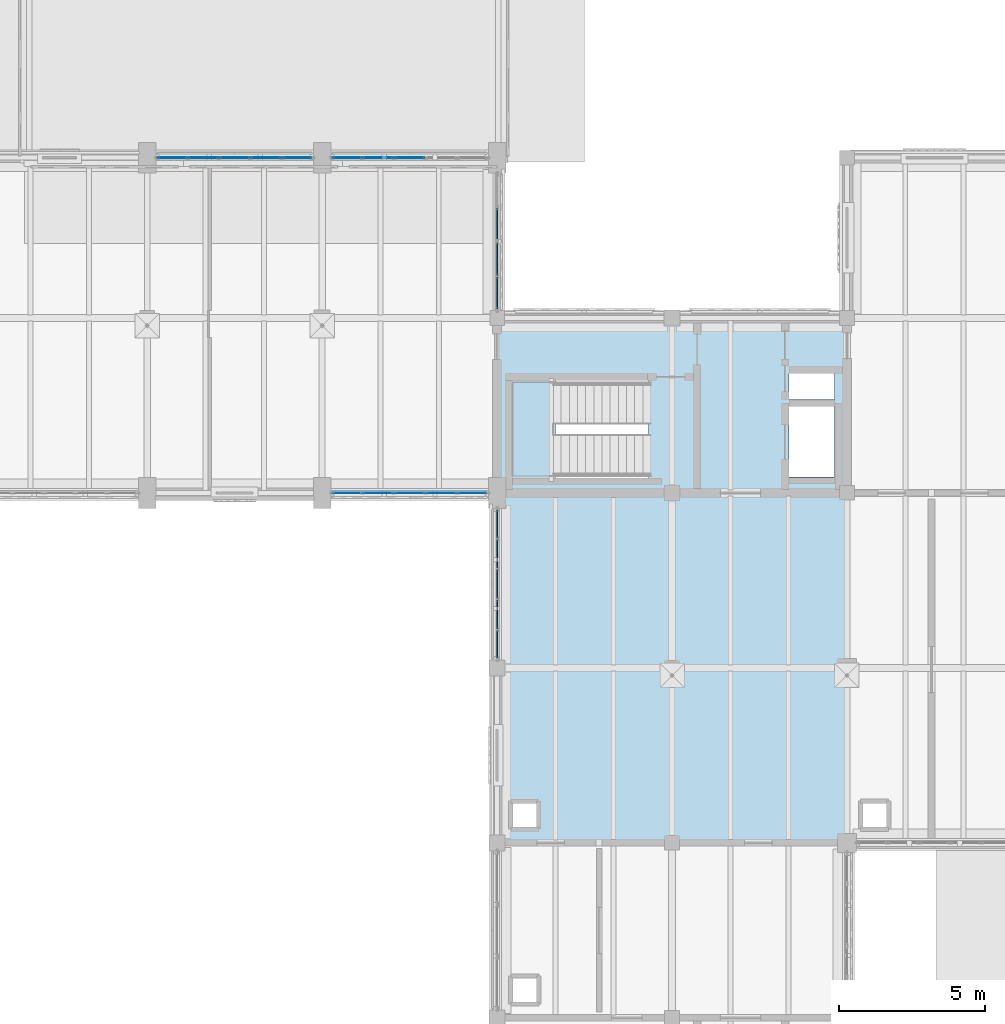
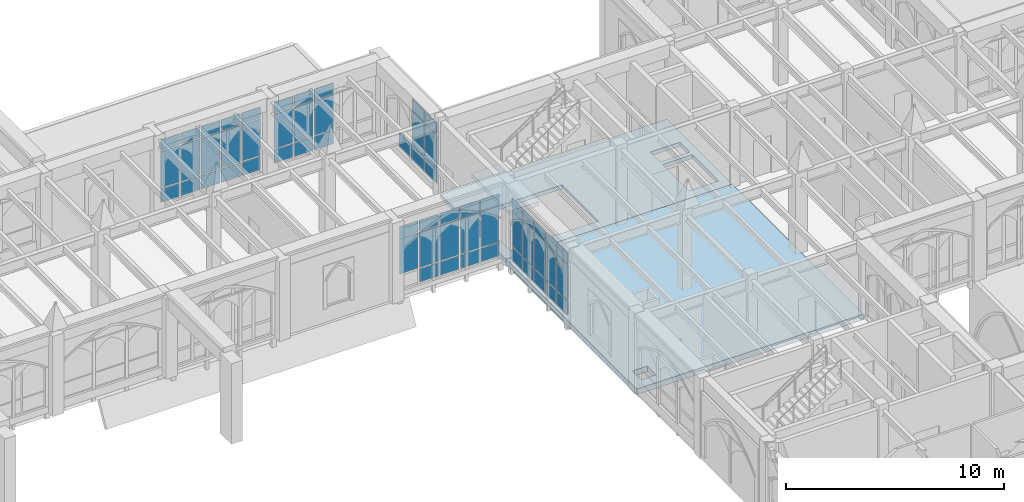
# One storey, part 96 of 143: 60 plates, 3 slabs, 6 elements without a shape of their own.
"""IFC4 building model written with IfcOpenShell, lengths in metres."""

from ifc_helpers import new_model, si_unit, direction, frame, origin, origin_2d, place, context, subcontext, project, spatial, polyline, rectangle, outline, extrude, material, layer, layer_set, type_object, element, aggregate, save


model = new_model("IFC4")

# Units and contexts
model_context = context("Model", 3, precision=1e-05, world=origin(), true_north=direction((0.0, 1.0)))
body_context = subcontext(model_context, "Body", "Model", "MODEL_VIEW")
ifc_project = project(units=[si_unit("LENGTHUNIT", "METRE"), si_unit("AREAUNIT", "SQUARE_METRE"), si_unit("VOLUMEUNIT", "CUBIC_METRE"), si_unit("PLANEANGLEUNIT", "RADIAN"), si_unit("MASSUNIT", "GRAM", prefix="KILO")], contexts=[model_context])

# Site, building, storey
site_placement = place(None, origin())
site = spatial("IfcSite", under=ifc_project, at=site_placement, CompositionType="ELEMENT")
building_placement = place(site_placement, origin())
building = spatial("IfcBuilding", under=site, at=building_placement, Name="Cumevento Cable Car Station", CompositionType="ELEMENT")
storey_placement = place(building_placement, frame((0.0, 0.0, 9.0)))
storey = spatial("IfcBuildingStorey", under=building, at=storey_placement, Name="L03", CompositionType="ELEMENT", Elevation=9.0)

# Slabs
ifc_material_1 = material(Name="Concrete C40/50", Category="concrete")
ifc_layer_1 = layer(ifc_material_1, 0.22412109375)
ifc_layer_set_1 = layer_set([ifc_layer_1], Name="Concrete C40/50")
slab_type_1 = type_object("IfcSlabType", Name="Concrete Deck FS-224 224", PredefinedType="FLOOR", material=ifc_layer_set_1)
slab_1_placement = place(storey_placement, frame((0.0, 0.0, -0.22412109375)))
element("IfcSlab", 1, at=slab_1_placement, inside=storey, type_object=slab_type_1, Name="Floor Slab FS-224 L03 B_V5c_core.1", PredefinedType="FLOOR", context=body_context, shape_type="SweptSolid", body=[
    extrude(outline(polyline([(118.0, 45.0), (130.0, 45.0), (130.0, 51.0), (118.0, 51.0), (118.0, 45.0)]), holes=[polyline([(128.010009765625, 45.5400390625), (129.580078125, 45.5400390625), (129.580078125, 47.9599609375), (128.010009765625, 47.9599609375), (128.010009765625, 45.5400390625)]), polyline([(118.52001953125, 45.52001953125), (123.199951171875, 45.52001953125), (123.199951171875, 48.85009765625), (118.52001953125, 48.85009765625), (118.52001953125, 45.52001953125)]), polyline([(128.010009765625, 48.199951171875), (129.580078125, 48.199951171875), (129.580078125, 49.10009765625), (128.010009765625, 49.10009765625), (128.010009765625, 48.199951171875)])]), origin(), (0.0, 0.0, 1.0), 0.22412109375),
])
ifc_material_2 = material(Name="Concrete C40/50", Category="concrete")
ifc_layer_2 = layer(ifc_material_2, 0.31494140625)
ifc_layer_set_2 = layer_set([ifc_layer_2], Name="Concrete C40/50")
slab_type_2 = type_object("IfcSlabType", Name="Concrete Deck FS-315 315", PredefinedType="FLOOR", material=ifc_layer_set_2)
slab_2_placement = place(storey_placement, frame((0.0, 0.0, -0.31494140625)))
element("IfcSlab", 2, at=slab_2_placement, inside=storey, type_object=slab_type_2, Name="Floor Slab FS-315 L03 B_V5a.1", PredefinedType="FLOOR", context=body_context, shape_type="SweptSolid", body=[
    extrude(outline(polyline([(118.0, 33.0), (130.0, 33.0), (130.0, 45.0), (118.0, 45.0), (118.0, 33.0)]), holes=[polyline([(118.550048828125, 33.550048828125), (119.35009765625, 33.550048828125), (119.35009765625, 34.35009765625), (118.550048828125, 34.35009765625), (118.550048828125, 33.550048828125)])]), origin(), (0.0, 0.0, 1.0), 0.31494140625),
])

# Curtain wall, plates
ifc_material_3 = material(Name="Anodised Bronze Aluminium AW-6063-T6", Category="aluminium")
ifc_layer_3 = layer(ifc_material_3, 0.166015625)
ifc_layer_set_3 = layer_set([ifc_layer_3], Name="Anodised Bronze Aluminium AW-6063-T6")
curtain_wall_type_1 = type_object("IfcCurtainWallType", Name="Lancet Curtain Wall CW-02 1090", PredefinedType="NOTDEFINED", material=ifc_layer_set_3)
curtain_wall_1_placement = place(storey_placement, origin())
curtain_wall_1 = element("IfcCurtainWall", 3, at=curtain_wall_1_placement, inside=storey, type_object=curtain_wall_type_1, Name="Lancet Curtain Wall CW-02 L03 #113", PredefinedType="NOTDEFINED")
ifc_material_4 = material(Name="Solar Control Laminated Double Glazing", Category="glass")
ifc_layer_4 = layer(ifc_material_4, 0.02587890625)
ifc_layer_set_4 = layer_set([ifc_layer_4], Name="Solar Control Laminated Double Glazing")
plate_type_1 = type_object("IfcPlateType", Name="Glazed Panel CWP-02 26", PredefinedType="CURTAIN_PANEL", material=ifc_layer_set_4)
plate_1_placement = place(storey_placement, frame((106.856201171875, 56.5, 0.275146484375), z_axis=(0.0, 0.0, 1.0), x_axis=(1.0, 0.0, 0.0)))
plate_1 = element("IfcPlate", 4, at=plate_1_placement, type_object=plate_type_1, Name="CW-02 panel 1.1", PredefinedType="CURTAIN_PANEL", context=body_context, shape_type="SweptSolid", body=[
    extrude(rectangle(XDim=0.982421875, YDim=0.02587890625, at=origin_2d()), origin(), (0.0, 0.0, 1.0), 0.75244140625),
])
plate_2_placement = place(storey_placement, frame((106.856201171875, 56.5, 1.092529296875), z_axis=(0.0, 0.0, 1.0), x_axis=(1.0, 0.0, 0.0)))
plate_2 = element("IfcPlate", 5, at=plate_2_placement, type_object=plate_type_1, Name="CW-02 panel 1.2", PredefinedType="CURTAIN_PANEL", context=body_context, shape_type="SweptSolid", body=[
    extrude(rectangle(XDim=0.982421875, YDim=0.02587890625, at=origin_2d()), origin(), (0.0, 0.0, 1.0), 2.02001953125),
])
plate_3_placement = place(storey_placement, frame((106.856201171875, 56.5, 3.177490234375), z_axis=(0.0, 0.0, 1.0), x_axis=(1.0, 0.0, 0.0)))
plate_3 = element("IfcPlate", 6, at=plate_3_placement, type_object=plate_type_1, Name="CW-02 panel 1.3", PredefinedType="CURTAIN_PANEL", context=body_context, shape_type="SweptSolid", body=[
    extrude(rectangle(XDim=0.982421875, YDim=0.02587890625, at=origin_2d()), origin(), (0.0, 0.0, 1.0), 0.6025390625),
])
plate_4_placement = place(storey_placement, frame((107.919921875, 56.5, 0.275146484375), z_axis=(0.0, 0.0, 1.0), x_axis=(1.0, 0.0, 0.0)))
plate_4 = element("IfcPlate", 7, at=plate_4_placement, type_object=plate_type_1, Name="CW-02 panel 2.1", PredefinedType="CURTAIN_PANEL", context=body_context, shape_type="SweptSolid", body=[
    extrude(rectangle(XDim=1.014892578125, YDim=0.02587890625, at=origin_2d()), origin(), (0.0, 0.0, 1.0), 0.75244140625),
])
plate_5_placement = place(storey_placement, frame((107.919921875, 56.5, 1.092529296875), z_axis=(0.0, 0.0, 1.0), x_axis=(1.0, 0.0, 0.0)))
plate_5 = element("IfcPlate", 8, at=plate_5_placement, type_object=plate_type_1, Name="CW-02 panel 2.2", PredefinedType="CURTAIN_PANEL", context=body_context, shape_type="SweptSolid", body=[
    extrude(rectangle(XDim=1.014892578125, YDim=0.02587890625, at=origin_2d()), origin(), (0.0, 0.0, 1.0), 2.02001953125),
])
plate_6_placement = place(storey_placement, frame((107.919921875, 56.5, 3.177490234375), z_axis=(0.0, 0.0, 1.0), x_axis=(1.0, 0.0, 0.0)))
plate_6 = element("IfcPlate", 9, at=plate_6_placement, type_object=plate_type_1, Name="CW-02 panel 2.3", PredefinedType="CURTAIN_PANEL", context=body_context, shape_type="SweptSolid", body=[
    extrude(rectangle(XDim=1.014892578125, YDim=0.02587890625, at=origin_2d()), origin(), (0.0, 0.0, 1.0), 0.6025390625),
])
plate_7_placement = place(storey_placement, frame((109.0, 56.5, 0.275146484375), z_axis=(0.0, 0.0, 1.0), x_axis=(1.0, 0.0, 0.0)))
plate_7 = element("IfcPlate", 10, at=plate_7_placement, type_object=plate_type_1, Name="CW-02 panel 3.1", PredefinedType="CURTAIN_PANEL", context=body_context, shape_type="SweptSolid", body=[
    extrude(rectangle(XDim=1.014892578125, YDim=0.02587890625, at=origin_2d()), origin(), (0.0, 0.0, 1.0), 0.75244140625),
])
plate_8_placement = place(storey_placement, frame((109.0, 56.5, 1.092529296875), z_axis=(0.0, 0.0, 1.0), x_axis=(1.0, 0.0, 0.0)))
plate_8 = element("IfcPlate", 11, at=plate_8_placement, type_object=plate_type_1, Name="CW-02 panel 3.2", PredefinedType="CURTAIN_PANEL", context=body_context, shape_type="SweptSolid", body=[
    extrude(rectangle(XDim=1.014892578125, YDim=0.02587890625, at=origin_2d()), origin(), (0.0, 0.0, 1.0), 2.02001953125),
])
plate_9_placement = place(storey_placement, frame((109.0, 56.5, 3.177490234375), z_axis=(0.0, 0.0, 1.0), x_axis=(1.0, 0.0, 0.0)))
plate_9 = element("IfcPlate", 12, at=plate_9_placement, type_object=plate_type_1, Name="CW-02 panel 3.3", PredefinedType="CURTAIN_PANEL", context=body_context, shape_type="SweptSolid", body=[
    extrude(rectangle(XDim=1.014892578125, YDim=0.02587890625, at=origin_2d()), origin(), (0.0, 0.0, 1.0), 0.6025390625),
])
plate_10_placement = place(storey_placement, frame((110.080078125, 56.5, 0.275146484375), z_axis=(0.0, 0.0, 1.0), x_axis=(1.0, 0.0, 0.0)))
plate_10 = element("IfcPlate", 13, at=plate_10_placement, type_object=plate_type_1, Name="CW-02 panel 4.1", PredefinedType="CURTAIN_PANEL", context=body_context, shape_type="SweptSolid", body=[
    extrude(rectangle(XDim=1.014892578125, YDim=0.02587890625, at=origin_2d()), origin(), (0.0, 0.0, 1.0), 0.75244140625),
])
plate_11_placement = place(storey_placement, frame((110.080078125, 56.5, 1.092529296875), z_axis=(0.0, 0.0, 1.0), x_axis=(1.0, 0.0, 0.0)))
plate_11 = element("IfcPlate", 14, at=plate_11_placement, type_object=plate_type_1, Name="CW-02 panel 4.2", PredefinedType="CURTAIN_PANEL", context=body_context, shape_type="SweptSolid", body=[
    extrude(rectangle(XDim=1.014892578125, YDim=0.02587890625, at=origin_2d()), origin(), (0.0, 0.0, 1.0), 2.02001953125),
])
plate_12_placement = place(storey_placement, frame((110.080078125, 56.5, 3.177490234375), z_axis=(0.0, 0.0, 1.0), x_axis=(1.0, 0.0, 0.0)))
plate_12 = element("IfcPlate", 15, at=plate_12_placement, type_object=plate_type_1, Name="CW-02 panel 4.3", PredefinedType="CURTAIN_PANEL", context=body_context, shape_type="SweptSolid", body=[
    extrude(rectangle(XDim=1.014892578125, YDim=0.02587890625, at=origin_2d()), origin(), (0.0, 0.0, 1.0), 0.6025390625),
])
plate_13_placement = place(storey_placement, frame((111.143798828125, 56.5, 0.275146484375), z_axis=(0.0, 0.0, 1.0), x_axis=(1.0, 0.0, 0.0)))
plate_13 = element("IfcPlate", 16, at=plate_13_placement, type_object=plate_type_1, Name="CW-02 panel 5.1", PredefinedType="CURTAIN_PANEL", context=body_context, shape_type="SweptSolid", body=[
    extrude(rectangle(XDim=0.982421875, YDim=0.02587890625, at=origin_2d()), origin(), (0.0, 0.0, 1.0), 0.75244140625),
])
plate_14_placement = place(storey_placement, frame((111.143798828125, 56.5, 1.092529296875), z_axis=(0.0, 0.0, 1.0), x_axis=(1.0, 0.0, 0.0)))
plate_14 = element("IfcPlate", 17, at=plate_14_placement, type_object=plate_type_1, Name="CW-02 panel 5.2", PredefinedType="CURTAIN_PANEL", context=body_context, shape_type="SweptSolid", body=[
    extrude(rectangle(XDim=0.982421875, YDim=0.02587890625, at=origin_2d()), origin(), (0.0, 0.0, 1.0), 2.02001953125),
])
plate_15_placement = place(storey_placement, frame((111.143798828125, 56.5, 3.177490234375), z_axis=(0.0, 0.0, 1.0), x_axis=(1.0, 0.0, 0.0)))
plate_15 = element("IfcPlate", 18, at=plate_15_placement, type_object=plate_type_1, Name="CW-02 panel 5.3", PredefinedType="CURTAIN_PANEL", context=body_context, shape_type="SweptSolid", body=[
    extrude(rectangle(XDim=0.982421875, YDim=0.02587890625, at=origin_2d()), origin(), (0.0, 0.0, 1.0), 0.6025390625),
])
aggregate(curtain_wall_1, [plate_1, plate_2, plate_3, plate_4, plate_5, plate_6, plate_7, plate_8, plate_9, plate_10, plate_11, plate_12, plate_13, plate_14, plate_15])

ifc_material_5 = material(Name="Anodised Bronze Aluminium AW-6063-T6", Category="aluminium")
ifc_layer_5 = layer(ifc_material_5, 0.172119140625)
ifc_layer_set_5 = layer_set([ifc_layer_5], Name="Anodised Bronze Aluminium AW-6063-T6")
curtain_wall_type_2 = type_object("IfcCurtainWallType", Name="Lancet Curtain Wall CW-03 1130", PredefinedType="NOTDEFINED", material=ifc_layer_set_5)
curtain_wall_2_placement = place(storey_placement, origin())
curtain_wall_2 = element("IfcCurtainWall", 19, at=curtain_wall_2_placement, inside=storey, type_object=curtain_wall_type_2, Name="Lancet Curtain Wall CW-03 L03 #114", PredefinedType="NOTDEFINED")
ifc_material_6 = material(Name="Solar Control Laminated Double Glazing", Category="glass")
ifc_layer_6 = layer(ifc_material_6, 0.030029296875)
ifc_layer_set_6 = layer_set([ifc_layer_6], Name="Solar Control Laminated Double Glazing")
plate_type_2 = type_object("IfcPlateType", Name="Glazed Panel CWP-03 30", PredefinedType="CURTAIN_PANEL", material=ifc_layer_set_6)
plate_16_placement = place(storey_placement, frame((117.143798828125, 45.0, 0.324951171875), z_axis=(0.0, 0.0, 1.0), x_axis=(-1.0, 0.0, 0.0)))
plate_16 = element("IfcPlate", 20, at=plate_16_placement, type_object=plate_type_2, Name="CW-03 panel 1.1", PredefinedType="CURTAIN_PANEL", context=body_context, shape_type="SweptSolid", body=[
    extrude(rectangle(XDim=0.982421875, YDim=0.030029296875, at=origin_2d()), origin(), (0.0, 0.0, 1.0), 0.75244140625),
])
plate_17_placement = place(storey_placement, frame((117.143798828125, 45.0, 1.142578125), z_axis=(0.0, 0.0, 1.0), x_axis=(-1.0, 0.0, 0.0)))
plate_17 = element("IfcPlate", 21, at=plate_17_placement, type_object=plate_type_2, Name="CW-03 panel 1.2", PredefinedType="CURTAIN_PANEL", context=body_context, shape_type="SweptSolid", body=[
    extrude(rectangle(XDim=0.982421875, YDim=0.030029296875, at=origin_2d()), origin(), (0.0, 0.0, 1.0), 1.969970703125),
])
plate_18_placement = place(storey_placement, frame((117.143798828125, 45.0, 3.177490234375), z_axis=(0.0, 0.0, 1.0), x_axis=(-1.0, 0.0, 0.0)))
plate_18 = element("IfcPlate", 22, at=plate_18_placement, type_object=plate_type_2, Name="CW-03 panel 1.3", PredefinedType="CURTAIN_PANEL", context=body_context, shape_type="SweptSolid", body=[
    extrude(rectangle(XDim=0.982421875, YDim=0.030029296875, at=origin_2d()), origin(), (0.0, 0.0, 1.0), 0.6025390625),
])
plate_19_placement = place(storey_placement, frame((116.080078125, 45.0, 0.324951171875), z_axis=(0.0, 0.0, 1.0), x_axis=(-1.0, 0.0, 0.0)))
plate_19 = element("IfcPlate", 23, at=plate_19_placement, type_object=plate_type_2, Name="CW-03 panel 2.1", PredefinedType="CURTAIN_PANEL", context=body_context, shape_type="SweptSolid", body=[
    extrude(rectangle(XDim=1.014892578125, YDim=0.030029296875, at=origin_2d()), origin(), (0.0, 0.0, 1.0), 0.75244140625),
])
plate_20_placement = place(storey_placement, frame((116.080078125, 45.0, 1.142578125), z_axis=(0.0, 0.0, 1.0), x_axis=(-1.0, 0.0, 0.0)))
plate_20 = element("IfcPlate", 24, at=plate_20_placement, type_object=plate_type_2, Name="CW-03 panel 2.2", PredefinedType="CURTAIN_PANEL", context=body_context, shape_type="SweptSolid", body=[
    extrude(rectangle(XDim=1.014892578125, YDim=0.030029296875, at=origin_2d()), origin(), (0.0, 0.0, 1.0), 1.969970703125),
])
plate_21_placement = place(storey_placement, frame((116.080078125, 45.0, 3.177490234375), z_axis=(0.0, 0.0, 1.0), x_axis=(-1.0, 0.0, 0.0)))
plate_21 = element("IfcPlate", 25, at=plate_21_placement, type_object=plate_type_2, Name="CW-03 panel 2.3", PredefinedType="CURTAIN_PANEL", context=body_context, shape_type="SweptSolid", body=[
    extrude(rectangle(XDim=1.014892578125, YDim=0.030029296875, at=origin_2d()), origin(), (0.0, 0.0, 1.0), 0.6025390625),
])
plate_22_placement = place(storey_placement, frame((115.0, 45.0, 0.324951171875), z_axis=(0.0, 0.0, 1.0), x_axis=(-1.0, 0.0, 0.0)))
plate_22 = element("IfcPlate", 26, at=plate_22_placement, type_object=plate_type_2, Name="CW-03 panel 3.1", PredefinedType="CURTAIN_PANEL", context=body_context, shape_type="SweptSolid", body=[
    extrude(rectangle(XDim=1.014892578125, YDim=0.030029296875, at=origin_2d()), origin(), (0.0, 0.0, 1.0), 0.75244140625),
])
plate_23_placement = place(storey_placement, frame((115.0, 45.0, 1.142578125), z_axis=(0.0, 0.0, 1.0), x_axis=(-1.0, 0.0, 0.0)))
plate_23 = element("IfcPlate", 27, at=plate_23_placement, type_object=plate_type_2, Name="CW-03 panel 3.2", PredefinedType="CURTAIN_PANEL", context=body_context, shape_type="SweptSolid", body=[
    extrude(rectangle(XDim=1.014892578125, YDim=0.030029296875, at=origin_2d()), origin(), (0.0, 0.0, 1.0), 1.969970703125),
])
plate_24_placement = place(storey_placement, frame((115.0, 45.0, 3.177490234375), z_axis=(0.0, 0.0, 1.0), x_axis=(-1.0, 0.0, 0.0)))
plate_24 = element("IfcPlate", 28, at=plate_24_placement, type_object=plate_type_2, Name="CW-03 panel 3.3", PredefinedType="CURTAIN_PANEL", context=body_context, shape_type="SweptSolid", body=[
    extrude(rectangle(XDim=1.014892578125, YDim=0.030029296875, at=origin_2d()), origin(), (0.0, 0.0, 1.0), 0.6025390625),
])
plate_25_placement = place(storey_placement, frame((113.919921875, 45.0, 0.324951171875), z_axis=(0.0, 0.0, 1.0), x_axis=(-1.0, 0.0, 0.0)))
plate_25 = element("IfcPlate", 29, at=plate_25_placement, type_object=plate_type_2, Name="CW-03 panel 4.1", PredefinedType="CURTAIN_PANEL", context=body_context, shape_type="SweptSolid", body=[
    extrude(rectangle(XDim=1.014892578125, YDim=0.030029296875, at=origin_2d()), origin(), (0.0, 0.0, 1.0), 0.75244140625),
])
plate_26_placement = place(storey_placement, frame((113.919921875, 45.0, 1.142578125), z_axis=(0.0, 0.0, 1.0), x_axis=(-1.0, 0.0, 0.0)))
plate_26 = element("IfcPlate", 30, at=plate_26_placement, type_object=plate_type_2, Name="CW-03 panel 4.2", PredefinedType="CURTAIN_PANEL", context=body_context, shape_type="SweptSolid", body=[
    extrude(rectangle(XDim=1.014892578125, YDim=0.030029296875, at=origin_2d()), origin(), (0.0, 0.0, 1.0), 1.969970703125),
])
plate_27_placement = place(storey_placement, frame((113.919921875, 45.0, 3.177490234375), z_axis=(0.0, 0.0, 1.0), x_axis=(-1.0, 0.0, 0.0)))
plate_27 = element("IfcPlate", 31, at=plate_27_placement, type_object=plate_type_2, Name="CW-03 panel 4.3", PredefinedType="CURTAIN_PANEL", context=body_context, shape_type="SweptSolid", body=[
    extrude(rectangle(XDim=1.014892578125, YDim=0.030029296875, at=origin_2d()), origin(), (0.0, 0.0, 1.0), 0.6025390625),
])
plate_28_placement = place(storey_placement, frame((112.856201171875, 45.0, 1.142578125), z_axis=(0.0, 0.0, 1.0), x_axis=(-1.0, 0.0, 0.0)))
plate_28 = element("IfcPlate", 32, at=plate_28_placement, type_object=plate_type_2, Name="CW-03 panel 5.2", PredefinedType="CURTAIN_PANEL", context=body_context, shape_type="SweptSolid", body=[
    extrude(rectangle(XDim=0.982421875, YDim=0.030029296875, at=origin_2d()), origin(), (0.0, 0.0, 1.0), 1.969970703125),
])
plate_29_placement = place(storey_placement, frame((112.856201171875, 45.0, 3.177490234375), z_axis=(0.0, 0.0, 1.0), x_axis=(-1.0, 0.0, 0.0)))
plate_29 = element("IfcPlate", 33, at=plate_29_placement, type_object=plate_type_2, Name="CW-03 panel 5.3", PredefinedType="CURTAIN_PANEL", context=body_context, shape_type="SweptSolid", body=[
    extrude(rectangle(XDim=0.982421875, YDim=0.030029296875, at=origin_2d()), origin(), (0.0, 0.0, 1.0), 0.6025390625),
])
aggregate(curtain_wall_2, [plate_16, plate_17, plate_18, plate_19, plate_20, plate_21, plate_22, plate_23, plate_24, plate_25, plate_26, plate_27, plate_28, plate_29])

ifc_material_7 = material(Name="Anodised Bronze Aluminium AW-6063-T6", Category="aluminium")
ifc_layer_7 = layer(ifc_material_7, 0.177978515625)
ifc_layer_set_7 = layer_set([ifc_layer_7], Name="Anodised Bronze Aluminium AW-6063-T6")
curtain_wall_type_3 = type_object("IfcCurtainWallType", Name="Lancet Curtain Wall CW-04 1170", PredefinedType="NOTDEFINED", material=ifc_layer_set_7)
curtain_wall_3_placement = place(storey_placement, origin())
curtain_wall_3 = element("IfcCurtainWall", 34, at=curtain_wall_3_placement, inside=storey, type_object=curtain_wall_type_3, Name="Lancet Curtain Wall CW-04 L03 #115", PredefinedType="NOTDEFINED")
ifc_material_8 = material(Name="Solar Control Laminated Double Glazing", Category="glass")
ifc_layer_8 = layer(ifc_material_8, 0.033935546875)
ifc_layer_set_8 = layer_set([ifc_layer_8], Name="Solar Control Laminated Double Glazing")
plate_type_3 = type_object("IfcPlateType", Name="Glazed Panel CWP-04 34", PredefinedType="CURTAIN_PANEL", material=ifc_layer_set_8)
plate_30_placement = place(storey_placement, frame((112.856201171875, 56.5, 0.375), z_axis=(0.0, 0.0, 1.0), x_axis=(1.0, 0.0, 0.0)))
plate_30 = element("IfcPlate", 35, at=plate_30_placement, type_object=plate_type_3, Name="CW-04 panel 1.1", PredefinedType="CURTAIN_PANEL", context=body_context, shape_type="SweptSolid", body=[
    extrude(rectangle(XDim=0.982421875, YDim=0.033935546875, at=origin_2d()), origin(), (0.0, 0.0, 1.0), 0.75244140625),
])
plate_31_placement = place(storey_placement, frame((112.856201171875, 56.5, 1.192626953125), z_axis=(0.0, 0.0, 1.0), x_axis=(1.0, 0.0, 0.0)))
plate_31 = element("IfcPlate", 36, at=plate_31_placement, type_object=plate_type_3, Name="CW-04 panel 1.2", PredefinedType="CURTAIN_PANEL", context=body_context, shape_type="SweptSolid", body=[
    extrude(rectangle(XDim=0.982421875, YDim=0.033935546875, at=origin_2d()), origin(), (0.0, 0.0, 1.0), 1.919921875),
])
plate_32_placement = place(storey_placement, frame((112.856201171875, 56.5, 3.177490234375), z_axis=(0.0, 0.0, 1.0), x_axis=(1.0, 0.0, 0.0)))
plate_32 = element("IfcPlate", 37, at=plate_32_placement, type_object=plate_type_3, Name="CW-04 panel 1.3", PredefinedType="CURTAIN_PANEL", context=body_context, shape_type="SweptSolid", body=[
    extrude(rectangle(XDim=0.982421875, YDim=0.033935546875, at=origin_2d()), origin(), (0.0, 0.0, 1.0), 0.6025390625),
])
plate_33_placement = place(storey_placement, frame((113.919921875, 56.5, 0.375), z_axis=(0.0, 0.0, 1.0), x_axis=(1.0, 0.0, 0.0)))
plate_33 = element("IfcPlate", 38, at=plate_33_placement, type_object=plate_type_3, Name="CW-04 panel 2.1", PredefinedType="CURTAIN_PANEL", context=body_context, shape_type="SweptSolid", body=[
    extrude(rectangle(XDim=1.014892578125, YDim=0.033935546875, at=origin_2d()), origin(), (0.0, 0.0, 1.0), 0.75244140625),
])
plate_34_placement = place(storey_placement, frame((113.919921875, 56.5, 1.192626953125), z_axis=(0.0, 0.0, 1.0), x_axis=(1.0, 0.0, 0.0)))
plate_34 = element("IfcPlate", 39, at=plate_34_placement, type_object=plate_type_3, Name="CW-04 panel 2.2", PredefinedType="CURTAIN_PANEL", context=body_context, shape_type="SweptSolid", body=[
    extrude(rectangle(XDim=1.014892578125, YDim=0.033935546875, at=origin_2d()), origin(), (0.0, 0.0, 1.0), 1.919921875),
])
plate_35_placement = place(storey_placement, frame((113.919921875, 56.5, 3.177490234375), z_axis=(0.0, 0.0, 1.0), x_axis=(1.0, 0.0, 0.0)))
plate_35 = element("IfcPlate", 40, at=plate_35_placement, type_object=plate_type_3, Name="CW-04 panel 2.3", PredefinedType="CURTAIN_PANEL", context=body_context, shape_type="SweptSolid", body=[
    extrude(rectangle(XDim=1.014892578125, YDim=0.033935546875, at=origin_2d()), origin(), (0.0, 0.0, 1.0), 0.6025390625),
])
plate_36_placement = place(storey_placement, frame((115.0, 56.5, 0.375), z_axis=(0.0, 0.0, 1.0), x_axis=(1.0, 0.0, 0.0)))
plate_36 = element("IfcPlate", 41, at=plate_36_placement, type_object=plate_type_3, Name="CW-04 panel 3.1", PredefinedType="CURTAIN_PANEL", context=body_context, shape_type="SweptSolid", body=[
    extrude(rectangle(XDim=1.014892578125, YDim=0.033935546875, at=origin_2d()), origin(), (0.0, 0.0, 1.0), 0.75244140625),
])
plate_37_placement = place(storey_placement, frame((115.0, 56.5, 1.192626953125), z_axis=(0.0, 0.0, 1.0), x_axis=(1.0, 0.0, 0.0)))
plate_37 = element("IfcPlate", 42, at=plate_37_placement, type_object=plate_type_3, Name="CW-04 panel 3.2", PredefinedType="CURTAIN_PANEL", context=body_context, shape_type="SweptSolid", body=[
    extrude(rectangle(XDim=1.014892578125, YDim=0.033935546875, at=origin_2d()), origin(), (0.0, 0.0, 1.0), 1.919921875),
])
plate_38_placement = place(storey_placement, frame((115.0, 56.5, 3.177490234375), z_axis=(0.0, 0.0, 1.0), x_axis=(1.0, 0.0, 0.0)))
plate_38 = element("IfcPlate", 43, at=plate_38_placement, type_object=plate_type_3, Name="CW-04 panel 3.3", PredefinedType="CURTAIN_PANEL", context=body_context, shape_type="SweptSolid", body=[
    extrude(rectangle(XDim=1.014892578125, YDim=0.033935546875, at=origin_2d()), origin(), (0.0, 0.0, 1.0), 0.6025390625),
])
aggregate(curtain_wall_3, [plate_30, plate_31, plate_32, plate_33, plate_34, plate_35, plate_36, plate_37, plate_38])

ifc_material_9 = material(Name="Anodised Bronze Aluminium AW-6063-T6", Category="aluminium")
ifc_layer_9 = layer(ifc_material_9, 0.18408203125)
ifc_layer_set_9 = layer_set([ifc_layer_9], Name="Anodised Bronze Aluminium AW-6063-T6")
curtain_wall_type_4 = type_object("IfcCurtainWallType", Name="Lancet Curtain Wall CW-05 1210", PredefinedType="NOTDEFINED", material=ifc_layer_set_9)
curtain_wall_4_placement = place(storey_placement, origin())
curtain_wall_4 = element("IfcCurtainWall", 44, at=curtain_wall_4_placement, inside=storey, type_object=curtain_wall_type_4, Name="Lancet Curtain Wall CW-05 L03 #116", PredefinedType="NOTDEFINED")
ifc_material_10 = material(Name="Solar Control Laminated Double Glazing", Category="glass")
ifc_layer_10 = layer(ifc_material_10, 0.0380859375)
ifc_layer_set_10 = layer_set([ifc_layer_10], Name="Solar Control Laminated Double Glazing")
plate_type_4 = type_object("IfcPlateType", Name="Glazed Panel CWP-05 38", PredefinedType="CURTAIN_PANEL", material=ifc_layer_set_10)
plate_39_placement = place(storey_placement, frame((118.0, 54.203125, 0.425048828125), z_axis=(0.0, 0.0, 1.0), x_axis=(0.0, -1.0, 0.0)))
plate_39 = element("IfcPlate", 45, at=plate_39_placement, type_object=plate_type_4, Name="CW-05 panel 2.1", PredefinedType="CURTAIN_PANEL", context=body_context, shape_type="SweptSolid", body=[
    extrude(rectangle(XDim=1.1162109375, YDim=0.0380859375, at=origin_2d()), origin(), (0.0, 0.0, 1.0), 0.75244140625),
])
plate_40_placement = place(storey_placement, frame((118.0, 53.02197265625, 0.425048828125), z_axis=(0.0, 0.0, 1.0), x_axis=(0.0, -1.0, 0.0)))
plate_40 = element("IfcPlate", 46, at=plate_40_placement, type_object=plate_type_4, Name="CW-05 panel 3.1", PredefinedType="CURTAIN_PANEL", context=body_context, shape_type="SweptSolid", body=[
    extrude(rectangle(XDim=1.1162109375, YDim=0.0380859375, at=origin_2d()), origin(), (0.0, 0.0, 1.0), 0.75244140625),
])
plate_41_placement = place(storey_placement, frame((118.0, 53.02197265625, 1.242431640625), z_axis=(0.0, 0.0, 1.0), x_axis=(0.0, -1.0, 0.0)))
plate_41 = element("IfcPlate", 47, at=plate_41_placement, type_object=plate_type_4, Name="CW-05 panel 3.2", PredefinedType="CURTAIN_PANEL", context=body_context, shape_type="SweptSolid", body=[
    extrude(rectangle(XDim=1.1162109375, YDim=0.0380859375, at=origin_2d()), origin(), (0.0, 0.0, 1.0), 1.8701171875),
])
plate_42_placement = place(storey_placement, frame((118.0, 53.02197265625, 3.177490234375), z_axis=(0.0, 0.0, 1.0), x_axis=(0.0, -1.0, 0.0)))
plate_42 = element("IfcPlate", 48, at=plate_42_placement, type_object=plate_type_4, Name="CW-05 panel 3.3", PredefinedType="CURTAIN_PANEL", context=body_context, shape_type="SweptSolid", body=[
    extrude(rectangle(XDim=1.1162109375, YDim=0.0380859375, at=origin_2d()), origin(), (0.0, 0.0, 1.0), 0.6025390625),
])
plate_43_placement = place(storey_placement, frame((118.0, 51.85693359375, 0.425048828125), z_axis=(0.0, 0.0, 1.0), x_axis=(0.0, -1.0, 0.0)))
plate_43 = element("IfcPlate", 49, at=plate_43_placement, type_object=plate_type_4, Name="CW-05 panel 4.1", PredefinedType="CURTAIN_PANEL", context=body_context, shape_type="SweptSolid", body=[
    extrude(rectangle(XDim=1.083740234375, YDim=0.0380859375, at=origin_2d()), origin(), (0.0, 0.0, 1.0), 0.75244140625),
])
plate_44_placement = place(storey_placement, frame((118.0, 51.85693359375, 1.242431640625), z_axis=(0.0, 0.0, 1.0), x_axis=(0.0, -1.0, 0.0)))
plate_44 = element("IfcPlate", 50, at=plate_44_placement, type_object=plate_type_4, Name="CW-05 panel 4.2", PredefinedType="CURTAIN_PANEL", context=body_context, shape_type="SweptSolid", body=[
    extrude(rectangle(XDim=1.083740234375, YDim=0.0380859375, at=origin_2d()), origin(), (0.0, 0.0, 1.0), 1.8701171875),
])
plate_45_placement = place(storey_placement, frame((118.0, 51.85693359375, 3.177490234375), z_axis=(0.0, 0.0, 1.0), x_axis=(0.0, -1.0, 0.0)))
plate_45 = element("IfcPlate", 51, at=plate_45_placement, type_object=plate_type_4, Name="CW-05 panel 4.3", PredefinedType="CURTAIN_PANEL", context=body_context, shape_type="SweptSolid", body=[
    extrude(rectangle(XDim=1.083740234375, YDim=0.0380859375, at=origin_2d()), origin(), (0.0, 0.0, 1.0), 0.6025390625),
])
aggregate(curtain_wall_4, [plate_39, plate_40, plate_41, plate_42, plate_43, plate_44, plate_45])

curtain_wall_5_placement = place(storey_placement, origin())
curtain_wall_5 = element("IfcCurtainWall", 52, at=curtain_wall_5_placement, inside=storey, type_object=curtain_wall_type_2, Name="Lancet Curtain Wall CW-03 L03 #130", PredefinedType="NOTDEFINED")
plate_46_placement = place(storey_placement, frame((118.0, 39.811279296875, 0.324951171875), z_axis=(0.0, 0.0, 1.0), x_axis=(0.0, 1.0, 0.0)))
plate_46 = element("IfcPlate", 53, at=plate_46_placement, type_object=plate_type_4, Name="CW-03 panel 1.1", PredefinedType="CURTAIN_PANEL", context=body_context, shape_type="SweptSolid", body=[
    extrude(rectangle(XDim=0.9423828125, YDim=0.0380859375, at=origin_2d()), origin(), (0.0, 0.0, 1.0), 0.75244140625),
])
plate_47_placement = place(storey_placement, frame((118.0, 39.811279296875, 1.142578125), z_axis=(0.0, 0.0, 1.0), x_axis=(0.0, 1.0, 0.0)))
plate_47 = element("IfcPlate", 54, at=plate_47_placement, type_object=plate_type_4, Name="CW-03 panel 1.2", PredefinedType="CURTAIN_PANEL", context=body_context, shape_type="SweptSolid", body=[
    extrude(rectangle(XDim=0.9423828125, YDim=0.0380859375, at=origin_2d()), origin(), (0.0, 0.0, 1.0), 1.969970703125),
])
plate_48_placement = place(storey_placement, frame((118.0, 39.811279296875, 3.177490234375), z_axis=(0.0, 0.0, 1.0), x_axis=(0.0, 1.0, 0.0)))
plate_48 = element("IfcPlate", 55, at=plate_48_placement, type_object=plate_type_4, Name="CW-03 panel 1.3", PredefinedType="CURTAIN_PANEL", context=body_context, shape_type="SweptSolid", body=[
    extrude(rectangle(XDim=0.9423828125, YDim=0.0380859375, at=origin_2d()), origin(), (0.0, 0.0, 1.0), 0.6025390625),
])
plate_49_placement = place(storey_placement, frame((118.0, 40.8349609375, 0.324951171875), z_axis=(0.0, 0.0, 1.0), x_axis=(0.0, 1.0, 0.0)))
plate_49 = element("IfcPlate", 56, at=plate_49_placement, type_object=plate_type_4, Name="CW-03 panel 2.1", PredefinedType="CURTAIN_PANEL", context=body_context, shape_type="SweptSolid", body=[
    extrude(rectangle(XDim=0.97509765625, YDim=0.0380859375, at=origin_2d()), origin(), (0.0, 0.0, 1.0), 0.75244140625),
])
plate_50_placement = place(storey_placement, frame((118.0, 40.8349609375, 1.142578125), z_axis=(0.0, 0.0, 1.0), x_axis=(0.0, 1.0, 0.0)))
plate_50 = element("IfcPlate", 57, at=plate_50_placement, type_object=plate_type_4, Name="CW-03 panel 2.2", PredefinedType="CURTAIN_PANEL", context=body_context, shape_type="SweptSolid", body=[
    extrude(rectangle(XDim=0.97509765625, YDim=0.0380859375, at=origin_2d()), origin(), (0.0, 0.0, 1.0), 1.969970703125),
])
plate_51_placement = place(storey_placement, frame((118.0, 40.8349609375, 3.177490234375), z_axis=(0.0, 0.0, 1.0), x_axis=(0.0, 1.0, 0.0)))
plate_51 = element("IfcPlate", 58, at=plate_51_placement, type_object=plate_type_4, Name="CW-03 panel 2.3", PredefinedType="CURTAIN_PANEL", context=body_context, shape_type="SweptSolid", body=[
    extrude(rectangle(XDim=0.97509765625, YDim=0.0380859375, at=origin_2d()), origin(), (0.0, 0.0, 1.0), 0.6025390625),
])
plate_52_placement = place(storey_placement, frame((118.0, 41.875, 0.324951171875), z_axis=(0.0, 0.0, 1.0), x_axis=(0.0, 1.0, 0.0)))
plate_52 = element("IfcPlate", 59, at=plate_52_placement, type_object=plate_type_4, Name="CW-03 panel 3.1", PredefinedType="CURTAIN_PANEL", context=body_context, shape_type="SweptSolid", body=[
    extrude(rectangle(XDim=0.97509765625, YDim=0.0380859375, at=origin_2d()), origin(), (0.0, 0.0, 1.0), 0.75244140625),
])
plate_53_placement = place(storey_placement, frame((118.0, 41.875, 1.142578125), z_axis=(0.0, 0.0, 1.0), x_axis=(0.0, 1.0, 0.0)))
plate_53 = element("IfcPlate", 60, at=plate_53_placement, type_object=plate_type_4, Name="CW-03 panel 3.2", PredefinedType="CURTAIN_PANEL", context=body_context, shape_type="SweptSolid", body=[
    extrude(rectangle(XDim=0.97509765625, YDim=0.0380859375, at=origin_2d()), origin(), (0.0, 0.0, 1.0), 1.969970703125),
])
plate_54_placement = place(storey_placement, frame((118.0, 41.875, 3.177490234375), z_axis=(0.0, 0.0, 1.0), x_axis=(0.0, 1.0, 0.0)))
plate_54 = element("IfcPlate", 61, at=plate_54_placement, type_object=plate_type_4, Name="CW-03 panel 3.3", PredefinedType="CURTAIN_PANEL", context=body_context, shape_type="SweptSolid", body=[
    extrude(rectangle(XDim=0.97509765625, YDim=0.0380859375, at=origin_2d()), origin(), (0.0, 0.0, 1.0), 0.6025390625),
])
plate_55_placement = place(storey_placement, frame((118.0, 42.9150390625, 0.324951171875), z_axis=(0.0, 0.0, 1.0), x_axis=(0.0, 1.0, 0.0)))
plate_55 = element("IfcPlate", 62, at=plate_55_placement, type_object=plate_type_4, Name="CW-03 panel 4.1", PredefinedType="CURTAIN_PANEL", context=body_context, shape_type="SweptSolid", body=[
    extrude(rectangle(XDim=0.97509765625, YDim=0.0380859375, at=origin_2d()), origin(), (0.0, 0.0, 1.0), 0.75244140625),
])
plate_56_placement = place(storey_placement, frame((118.0, 42.9150390625, 1.142578125), z_axis=(0.0, 0.0, 1.0), x_axis=(0.0, 1.0, 0.0)))
plate_56 = element("IfcPlate", 63, at=plate_56_placement, type_object=plate_type_4, Name="CW-03 panel 4.2", PredefinedType="CURTAIN_PANEL", context=body_context, shape_type="SweptSolid", body=[
    extrude(rectangle(XDim=0.97509765625, YDim=0.0380859375, at=origin_2d()), origin(), (0.0, 0.0, 1.0), 1.969970703125),
])
plate_57_placement = place(storey_placement, frame((118.0, 42.9150390625, 3.177490234375), z_axis=(0.0, 0.0, 1.0), x_axis=(0.0, 1.0, 0.0)))
plate_57 = element("IfcPlate", 64, at=plate_57_placement, type_object=plate_type_4, Name="CW-03 panel 4.3", PredefinedType="CURTAIN_PANEL", context=body_context, shape_type="SweptSolid", body=[
    extrude(rectangle(XDim=0.97509765625, YDim=0.0380859375, at=origin_2d()), origin(), (0.0, 0.0, 1.0), 0.6025390625),
])
plate_58_placement = place(storey_placement, frame((118.0, 43.938720703125, 0.324951171875), z_axis=(0.0, 0.0, 1.0), x_axis=(0.0, 1.0, 0.0)))
plate_58 = element("IfcPlate", 65, at=plate_58_placement, type_object=plate_type_4, Name="CW-03 panel 5.1", PredefinedType="CURTAIN_PANEL", context=body_context, shape_type="SweptSolid", body=[
    extrude(rectangle(XDim=0.9423828125, YDim=0.0380859375, at=origin_2d()), origin(), (0.0, 0.0, 1.0), 0.75244140625),
])
plate_59_placement = place(storey_placement, frame((118.0, 43.938720703125, 1.142578125), z_axis=(0.0, 0.0, 1.0), x_axis=(0.0, 1.0, 0.0)))
plate_59 = element("IfcPlate", 66, at=plate_59_placement, type_object=plate_type_4, Name="CW-03 panel 5.2", PredefinedType="CURTAIN_PANEL", context=body_context, shape_type="SweptSolid", body=[
    extrude(rectangle(XDim=0.9423828125, YDim=0.0380859375, at=origin_2d()), origin(), (0.0, 0.0, 1.0), 1.969970703125),
])
plate_60_placement = place(storey_placement, frame((118.0, 43.938720703125, 3.177490234375), z_axis=(0.0, 0.0, 1.0), x_axis=(0.0, 1.0, 0.0)))
plate_60 = element("IfcPlate", 67, at=plate_60_placement, type_object=plate_type_4, Name="CW-03 panel 5.3", PredefinedType="CURTAIN_PANEL", context=body_context, shape_type="SweptSolid", body=[
    extrude(rectangle(XDim=0.9423828125, YDim=0.0380859375, at=origin_2d()), origin(), (0.0, 0.0, 1.0), 0.6025390625),
])
aggregate(curtain_wall_5, [plate_46, plate_47, plate_48, plate_49, plate_50, plate_51, plate_52, plate_53, plate_54, plate_55, plate_56, plate_57, plate_58, plate_59, plate_60])

# Stair, slab
ifc_material_11 = material(Name="Concrete C40/50", Category="concrete")
stair_type = type_object("IfcStairType", Name="Half-Turn Stair ST-T08 1470", PredefinedType="HALF_TURN_STAIR", material=ifc_material_11)
stair_placement = place(storey_placement, origin())
stair = element("IfcStair", 68, at=stair_placement, inside=storey, type_object=stair_type, Name="Enclosed Exit Stair ST-06 (L03 to L04)", PredefinedType="HALF_TURN_STAIR")
ifc_material_12 = material(Name="Concrete C40/50", Category="concrete")
ifc_layer_11 = layer(ifc_material_12, 0.239013671875)
ifc_layer_set_11 = layer_set([ifc_layer_11], Name="Concrete C40/50")
slab_type_3 = type_object("IfcSlabType", Name="Stair Landing STL-T08 239", PredefinedType="LANDING", material=ifc_layer_set_11)
slab_3_placement = place(storey_placement, frame((0.0, 0.0, 2.010986328125)))
slab_3 = element("IfcSlab", 69, at=slab_3_placement, type_object=slab_type_3, Name="ST-06-L03 Half-Landing", PredefinedType="LANDING", context=body_context, shape_type="SweptSolid", body=[
    extrude(outline(polyline([(118.43994140625, 45.43994140625), (120.0, 45.43994140625), (120.0, 48.929931640625), (118.43994140625, 48.929931640625), (118.43994140625, 45.43994140625)])), origin(), (0.0, 0.0, 1.0), 0.239013671875),
])
aggregate(stair, [slab_3])

save(model, "model.ifc")
